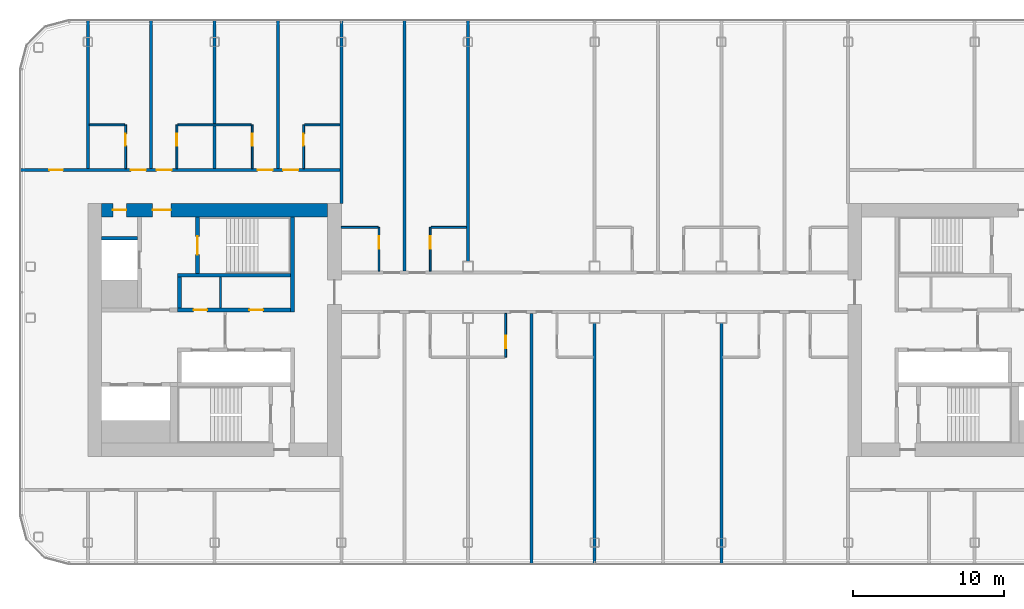
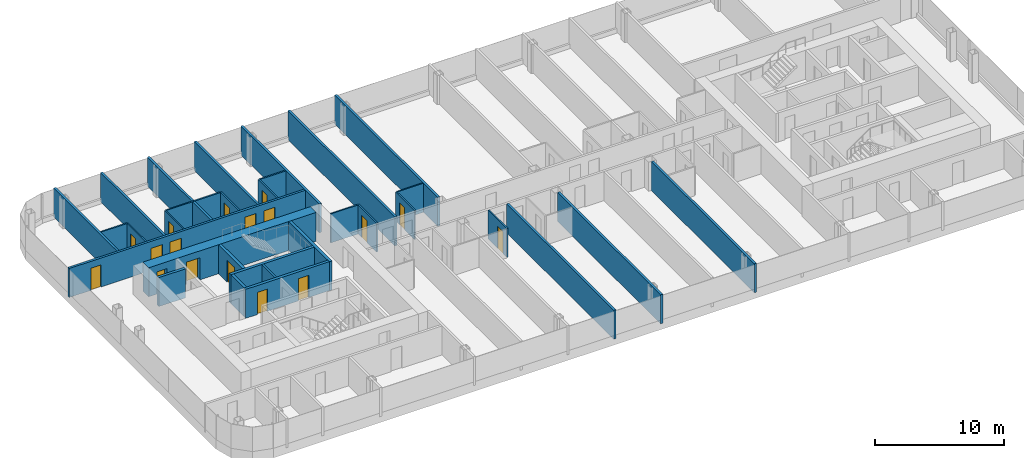
# One storey, part 14 of 26: 31 walls, 17 doors, 17 openings.
"""IFC4 building model written with IfcOpenShell, lengths in metres."""

import ifcopenshell
import ifcopenshell.guid

model = None  # the IFC model being written
_history = None  # IfcOwnerHistory: only IFC2X3 demands one
_inside = {}  # id of a spatial element -> (the spatial element, [elements in it])
_under = {}  # id of a project, library or spatial element -> (it, [spatial elements below it])
_declared = {}  # id of a project -> (the project, [libraries it declares])
_typed = {}  # id of a type object -> (the type object, [elements of that type])
_made_of = {}  # id of a material, layer set ... -> (it, [elements and type objects made of it])


def new_model(schema):
    """Start an empty IFC model of exactly this schema.

    Asked for "IFC4X3", IfcOpenShell would pick the latest addendum, in which some entities
    have other attributes; the version numbers below select the first issue.
    IFC2X3 requires an IfcOwnerHistory on every rooted entity: one is made here for all.
    """
    global model, _history
    if schema == "IFC4X3":
        model = ifcopenshell.file(schema_version=(4, 3, 0, 0))
    else:
        model = ifcopenshell.file(schema=schema)
    _inside.clear()
    _under.clear()
    _declared.clear()
    _typed.clear()
    _made_of.clear()
    _history = None
    if model.schema == "IFC2X3":
        org = make("IfcOrganization", Name="unknown")
        user = make(
            "IfcPersonAndOrganization",
            ThePerson=make("IfcPerson", FamilyName="unknown"),
            TheOrganization=org,
        )
        app = make(
            "IfcApplication",
            ApplicationDeveloper=org,
            Version="unknown",
            ApplicationFullName="unknown",
            ApplicationIdentifier="unknown",
        )
        _history = make(
            "IfcOwnerHistory",
            OwningUser=user,
            OwningApplication=app,
            ChangeAction="ADDED",
            CreationDate=0,
        )
    return model


def make(cls, **values):
    """One entity of the class cls with the attributes given. An attribute that is None is left unset."""
    return model.create_entity(
        cls, **{name: value for name, value in values.items() if value is not None}
    )


def rooted(cls, **values):
    """An entity with a GlobalId (a new one), such as an element, a storey or a relation."""
    return make(cls, GlobalId=ifcopenshell.guid.new(), OwnerHistory=_history, **values)


def si_unit(unit_type, name, prefix=None):
    """IfcSIUnit, for example si_unit("LENGTHUNIT", "METRE", prefix="MILLI")."""
    return make("IfcSIUnit", UnitType=unit_type, Prefix=prefix, Name=name)


def assignment(units):
    """IfcUnitAssignment: the units of a project."""
    return None if units is None else make("IfcUnitAssignment", Units=units)


def point(xyz):
    """IfcCartesianPoint."""
    return None if xyz is None else make("IfcCartesianPoint", Coordinates=xyz)


def direction(xyz):
    """IfcDirection."""
    return None if xyz is None else make("IfcDirection", DirectionRatios=xyz)


def frame(location, z_axis=None, x_axis=None):
    """IfcAxis2Placement3D, a coordinate frame: its origin and axes. An axis left out is left unset."""
    return make(
        "IfcAxis2Placement3D",
        Location=point(location),
        Axis=direction(z_axis),
        RefDirection=direction(x_axis),
    )


def frame_2d(location, x_axis=None):
    """IfcAxis2Placement2D, a coordinate frame in the plane: its origin and x axis."""
    return make(
        "IfcAxis2Placement2D", Location=point(location), RefDirection=direction(x_axis)
    )


def origin():
    """The frame at (0, 0, 0) with its axes left unset."""
    return frame((0.0, 0.0, 0.0))


def place(relative_to, where):
    """IfcLocalPlacement: puts the frame where relative to a parent placement (None: the world)."""
    return make(
        "IfcLocalPlacement", PlacementRelTo=relative_to, RelativePlacement=where
    )


def context(
    kind, dimensions, precision=None, world=None, true_north=None, identifier=None
):
    """IfcGeometricRepresentationContext, for example the 3D "Model" context."""
    return make(
        "IfcGeometricRepresentationContext",
        ContextIdentifier=identifier,
        ContextType=kind,
        CoordinateSpaceDimension=dimensions,
        Precision=precision,
        WorldCoordinateSystem=world,
        TrueNorth=true_north,
    )


def subcontext(parent, identifier, kind, view, scale=None):
    """IfcGeometricRepresentationSubContext, for example "Body" below "Model"."""
    return make(
        "IfcGeometricRepresentationSubContext",
        ContextIdentifier=identifier,
        ContextType=kind,
        ParentContext=parent,
        TargetScale=scale,
        TargetView=view,
    )


def project(units=None, contexts=None):
    """IfcProject with its units and contexts."""
    return rooted(
        "IfcProject",
        Name="project",
        RepresentationContexts=contexts,
        UnitsInContext=assignment(units),
    )


def spatial(cls, under=None, at=None, **own):
    """A site, building, storey or space (cls), placed at a placement, below another one or the project."""
    s = rooted(cls, ObjectPlacement=at, **own)
    if under is not None:
        _under.setdefault(under.id(), (under, []))[1].append(s)
    return s


def profile(cls, at=None, kind="AREA", **sizes):
    """A parametric profile (cls). Its sizes go by their IFC names, for example OverallWidth=200.0."""
    return make(cls, ProfileType=kind, Position=at, **sizes)


def rectangle(**sizes):
    """IfcRectangleProfileDef."""
    return profile("IfcRectangleProfileDef", **sizes)


def extrude(swept, where, along, depth):
    """IfcExtrudedAreaSolid: the profile swept, set in the frame where, extruded along a direction by depth."""
    return make(
        "IfcExtrudedAreaSolid",
        SweptArea=swept,
        Position=where,
        ExtrudedDirection=direction(along),
        Depth=depth,
    )


def shape(context_of_items, identifier, shape_type, items):
    """IfcShapeRepresentation: the items that make up one representation, for example the "Body"."""
    return make(
        "IfcShapeRepresentation",
        ContextOfItems=context_of_items,
        RepresentationIdentifier=identifier,
        RepresentationType=shape_type,
        Items=items,
    )


def material(Name=None, Category=None):
    """IfcMaterial."""
    return make("IfcMaterial", Name=Name, Category=Category)


def layer(
    of_material, thickness, ventilated=None, Name=None, Category=None, Priority=None
):
    """IfcMaterialLayer: one layer of a wall or slab, of a material (None: an air gap)."""
    return make(
        "IfcMaterialLayer",
        Material=of_material,
        LayerThickness=thickness,
        IsVentilated=ventilated,
        Name=Name,
        Category=Category,
        Priority=Priority,
    )


def layer_set(layers, Name=None):
    """IfcMaterialLayerSet."""
    return make("IfcMaterialLayerSet", MaterialLayers=layers, LayerSetName=Name)


def made_of(thing, what):
    """Note that an element or type object is made of a material, layer set ...; save() writes the relation."""
    if what is not None:
        _made_of.setdefault(what.id(), (what, []))[1].append(thing)
    return thing


def type_object(cls, material=None, **own):
    """A type object (cls), such as IfcWallType, which elements share."""
    return made_of(rooted(cls, **own), material)


def element(
    cls,
    number,
    at=None,
    inside=None,
    cuts=None,
    type_object=None,
    material=None,
    context=None,
    identifier="Body",
    shape_type=None,
    held_by="IfcProductDefinitionShape",
    body=None,
    shapes=None,
    **own,
):
    """One element of the class cls, such as IfcWall. Its Tag is "e" and its number.

    at: its placement. inside: the storey or other place that contains it. cuts: it is an
    opening in that element (IfcRelVoidsElement). A single representation is given by context,
    identifier, shape_type and body (its items); several are given by shapes. held_by: the class
    of the entity that holds the representations. save() writes the other relations.
    """
    e = rooted(cls, Tag="e%d" % number, ObjectPlacement=at, **own)
    if body is not None:
        shapes = [shape(context, identifier, shape_type, body)]
    if shapes is not None:
        e.Representation = make(held_by, Representations=shapes)
    if inside is not None:
        _inside.setdefault(inside.id(), (inside, []))[1].append(e)
    if cuts is not None:
        rooted(
            "IfcRelVoidsElement", RelatingBuildingElement=cuts, RelatedOpeningElement=e
        )
    if type_object is not None:
        _typed.setdefault(type_object.id(), (type_object, []))[1].append(e)
    return made_of(e, material)


def fill(opening, filler):
    """IfcRelFillsElement: the door or window that sits in an opening."""
    return rooted(
        "IfcRelFillsElement",
        RelatingOpeningElement=opening,
        RelatedBuildingElement=filler,
    )


def aggregate(whole, parts):
    """IfcRelAggregates: a whole, such as a stair, and the parts it consists of."""
    return rooted("IfcRelAggregates", RelatingObject=whole, RelatedObjects=parts)


def save(model, path):
    """Write the relations noted so far, then the file.

    IfcRelAggregates (storeys below a building ...), IfcRelContainedInSpatialStructure (elements
    in a storey), IfcRelDefinesByType, IfcRelAssociatesMaterial and IfcRelDeclares: one each for
    every whole, place, type object, material and project.
    """
    for whole, parts in _under.values():
        aggregate(whole, parts)
    for where, things in _inside.values():
        rooted(
            "IfcRelContainedInSpatialStructure",
            RelatedElements=things,
            RelatingStructure=where,
        )
    for kind, things in _typed.values():
        rooted("IfcRelDefinesByType", RelatedObjects=things, RelatingType=kind)
    for what, things in _made_of.values():
        rooted("IfcRelAssociatesMaterial", RelatedObjects=things, RelatingMaterial=what)
    for by, libraries in _declared.values():
        rooted("IfcRelDeclares", RelatingContext=by, RelatedDefinitions=libraries)
    model.write(path)


model = new_model("IFC4")

# Units and contexts
model_context = context("Model", 3, precision=1e-05, world=origin(), true_north=direction((0.0, 1.0)))
body_context = subcontext(model_context, "Body", "Model", "MODEL_VIEW")
ifc_project = project(units=[si_unit("LENGTHUNIT", "METRE"), si_unit("AREAUNIT", "SQUARE_METRE"), si_unit("VOLUMEUNIT", "CUBIC_METRE"), si_unit("PLANEANGLEUNIT", "RADIAN"), si_unit("MASSUNIT", "GRAM", prefix="KILO")], contexts=[model_context])

# Site, building, storey
site_placement = place(None, origin())
site = spatial("IfcSite", under=ifc_project, at=site_placement, CompositionType="ELEMENT")
building_placement = place(site_placement, origin())
building = spatial("IfcBuilding", under=site, at=building_placement, Name="Hakoniwa Tower and Hamabe Station Hall", CompositionType="ELEMENT")
storey_placement = place(building_placement, frame((0.0, 0.0, 189.800048828125)))
storey = spatial("IfcBuildingStorey", under=building, at=storey_placement, Name="L53", CompositionType="ELEMENT", Elevation=189.800048828125)

# Walls
ifc_material_1 = material(Name="Gypsum board partition", Category="gypsum")
ifc_layer_1 = layer(ifc_material_1, 0.125)
ifc_layer_set_1 = layer_set([ifc_layer_1], Name="Bathroom Partition 125")
wall_type_1 = type_object("IfcWallType", Name="Bathroom Partition 125", PredefinedType="PARTITIONING", material=ifc_layer_set_1)
wall_1_placement = place(storey_placement, frame((-16.81005859375, 6.800048828125, 0.0), z_axis=(0.0, 0.0, 1.0), x_axis=(1.0, 0.0, 0.0)))
element("IfcWall", 1, at=wall_1_placement, inside=storey, type_object=wall_type_1, Name="GW-L53-010", PredefinedType="PARTITIONING", context=body_context, shape_type="SweptSolid", body=[
    extrude(rectangle(XDim=2.447509765625, YDim=0.125, at=frame_2d((1.2236328125, 0.0))), origin(), (0.0, 0.0, 1.0), 2.75),
])
for number, where, z_axis, x_axis, name in (
    (2, (-10.83740234375, 6.800048828125, 0.0), (0.0, 0.0, 1.0), (1.0, 0.0, 0.0), "GW-L53-011"),
    (3, (-33.5, 13.60009765625, 0.0), (0.0, 0.0, 1.0), (1.0, 0.0, 0.0), "GW-L53-017"),
):
    element("IfcWall", number, at=place(storey_placement, frame(where, z_axis=z_axis, x_axis=x_axis)), inside=storey, type_object=wall_type_1, Name=name, PredefinedType="PARTITIONING", context=body_context, shape_type="SweptSolid", body=[
        extrude(rectangle(XDim=2.33740234375, YDim=0.125, at=frame_2d((1.168701171875, 0.0))), origin(), (0.0, 0.0, 1.0), 2.75),
    ])
wall_2_placement = place(storey_placement, frame((-27.637451171875, 13.60009765625, 0.0), z_axis=(0.0, 0.0, 1.0), x_axis=(1.0, 0.0, 0.0)))
element("IfcWall", 4, at=wall_2_placement, inside=storey, type_object=wall_type_1, Name="GW-L53-018", PredefinedType="PARTITIONING", context=body_context, shape_type="SweptSolid", body=[
    extrude(rectangle(XDim=4.875, YDim=0.125, at=frame_2d((2.4375, 0.0))), origin(), (0.0, 0.0, 1.0), 2.75),
])
wall_3_placement = place(storey_placement, frame((-19.237548828125, 13.60009765625, 0.0), z_axis=(0.0, 0.0, 1.0), x_axis=(1.0, 0.0, 0.0)))
element("IfcWall", 5, at=wall_3_placement, inside=storey, type_object=wall_type_1, Name="GW-L53-019", PredefinedType="PARTITIONING", context=body_context, shape_type="SweptSolid", body=[
    extrude(rectangle(XDim=2.337646484375, YDim=0.125, at=frame_2d((1.1689453125, 0.0))), origin(), (0.0, 0.0, 1.0), 2.75),
])

# Wall, opening, door
wall_4_placement = place(storey_placement, frame((-31.10009765625, 10.699951171875, 0.0), z_axis=(0.0, 0.0, 1.0), x_axis=(0.0, 1.0, 0.0)))
wall_4 = element("IfcWall", 6, at=wall_4_placement, inside=storey, type_object=wall_type_1, Name="GW-L53-023", PredefinedType="PARTITIONING", context=body_context, shape_type="SweptSolid", body=[
    extrude(rectangle(XDim=2.900146484375, YDim=0.125, at=frame_2d((1.4501953125, 0.0))), origin(), (0.0, 0.0, 1.0), 2.75),
])
opening_1_placement = place(wall_4_placement, frame((1.5, 0.0, 0.0)))
opening_1 = element("IfcOpeningElement", 7, at=opening_1_placement, cuts=wall_4, Name="Opening GD-G4B0-32", PredefinedType="OPENING", context=body_context, shape_type="SweptSolid", body=[
    extrude(rectangle(XDim=0.800048828125, YDim=2.10009765625, at=frame_2d((0.39990234375, 1.050048828125))), frame((0.0, 0.072509765625, 0.0), z_axis=(0.0, -1.0, 0.0), x_axis=(1.0, 0.0, 0.0)), (0.0, 0.0, 1.0), 0.14501953125),
])
ifc_material_2 = material(Name="Timber door leaf", Category="wood")
door_type_1 = type_object("IfcDoorType", Name="Bathroom Door 800", OperationType="SINGLE_SWING_LEFT", PredefinedType="DOOR", material=ifc_material_2)
door_1_placement = place(opening_1_placement, origin())
door_1 = element("IfcDoor", 8, at=door_1_placement, inside=storey, type_object=door_type_1, Name="Door GD-G4B0-32", OperationType="SINGLE_SWING_LEFT", OverallHeight=2.10009765625, OverallWidth=0.800048828125, PredefinedType="DOOR", context=body_context, shape_type="SweptSolid", body=[
    extrude(rectangle(XDim=0.800048828125, YDim=2.10009765625, at=frame_2d((0.39990234375, 1.050048828125))), frame((0.0, 0.02490234375, 0.0), z_axis=(0.0, -1.0, 0.0), x_axis=(1.0, 0.0, 0.0)), (0.0, 0.0, 1.0), 0.050048828125),
])
fill(opening_1, door_1)

wall_5_placement = place(storey_placement, frame((-27.699951171875, 10.699951171875, 0.0), z_axis=(0.0, 0.0, 1.0), x_axis=(0.0, 1.0, 0.0)))
wall_5 = element("IfcWall", 9, at=wall_5_placement, inside=storey, type_object=wall_type_1, Name="GW-L53-026", PredefinedType="PARTITIONING", context=body_context, shape_type="SweptSolid", body=[
    extrude(rectangle(XDim=2.900146484375, YDim=0.125, at=frame_2d((1.4501953125, 0.0))), origin(), (0.0, 0.0, 1.0), 2.75),
])
opening_2_placement = place(wall_5_placement, frame((1.5, 0.0, 0.0)))
opening_2 = element("IfcOpeningElement", 10, at=opening_2_placement, cuts=wall_5, Name="Opening GD-G4B0-33", PredefinedType="OPENING", context=body_context, shape_type="SweptSolid", body=[
    extrude(rectangle(XDim=0.800048828125, YDim=2.10009765625, at=frame_2d((0.39990234375, 1.050048828125))), frame((0.0, 0.072509765625, 0.0), z_axis=(0.0, -1.0, 0.0), x_axis=(1.0, 0.0, 0.0)), (0.0, 0.0, 1.0), 0.14501953125),
])
door_2_placement = place(opening_2_placement, origin())
door_2 = element("IfcDoor", 11, at=door_2_placement, inside=storey, type_object=door_type_1, Name="Door GD-G4B0-33", OperationType="SINGLE_SWING_RIGHT", OverallHeight=2.10009765625, OverallWidth=0.800048828125, PredefinedType="DOOR", context=body_context, shape_type="SweptSolid", body=[
    extrude(rectangle(XDim=0.800048828125, YDim=2.10009765625, at=frame_2d((0.39990234375, 1.050048828125))), frame((0.0, 0.02490234375, 0.0), z_axis=(0.0, -1.0, 0.0), x_axis=(1.0, 0.0, 0.0)), (0.0, 0.0, 1.0), 0.050048828125),
])
fill(opening_2, door_2)

wall_6_placement = place(storey_placement, frame((-22.699951171875, 10.699951171875, 0.0), z_axis=(0.0, 0.0, 1.0), x_axis=(0.0, 1.0, 0.0)))
wall_6 = element("IfcWall", 12, at=wall_6_placement, inside=storey, type_object=wall_type_1, Name="GW-L53-029", PredefinedType="PARTITIONING", context=body_context, shape_type="SweptSolid", body=[
    extrude(rectangle(XDim=2.900146484375, YDim=0.125, at=frame_2d((1.4501953125, 0.0))), origin(), (0.0, 0.0, 1.0), 2.75),
])
opening_3_placement = place(wall_6_placement, frame((1.5, 0.0, 0.0)))
opening_3 = element("IfcOpeningElement", 13, at=opening_3_placement, cuts=wall_6, Name="Opening GD-G4B0-34", PredefinedType="OPENING", context=body_context, shape_type="SweptSolid", body=[
    extrude(rectangle(XDim=0.800048828125, YDim=2.10009765625, at=frame_2d((0.39990234375, 1.050048828125))), frame((0.0, 0.072509765625, 0.0), z_axis=(0.0, -1.0, 0.0), x_axis=(1.0, 0.0, 0.0)), (0.0, 0.0, 1.0), 0.14501953125),
])
door_3_placement = place(opening_3_placement, origin())
door_3 = element("IfcDoor", 14, at=door_3_placement, inside=storey, type_object=door_type_1, Name="Door GD-G4B0-34", OperationType="SINGLE_SWING_LEFT", OverallHeight=2.10009765625, OverallWidth=0.800048828125, PredefinedType="DOOR", context=body_context, shape_type="SweptSolid", body=[
    extrude(rectangle(XDim=0.800048828125, YDim=2.10009765625, at=frame_2d((0.39990234375, 1.050048828125))), frame((0.0, 0.02490234375, 0.0), z_axis=(0.0, -1.0, 0.0), x_axis=(1.0, 0.0, 0.0)), (0.0, 0.0, 1.0), 0.050048828125),
])
fill(opening_3, door_3)

wall_7_placement = place(storey_placement, frame((-19.300048828125, 10.699951171875, 0.0), z_axis=(0.0, 0.0, 1.0), x_axis=(0.0, 1.0, 0.0)))
wall_7 = element("IfcWall", 15, at=wall_7_placement, inside=storey, type_object=wall_type_1, Name="GW-L53-031", PredefinedType="PARTITIONING", context=body_context, shape_type="SweptSolid", body=[
    extrude(rectangle(XDim=2.900146484375, YDim=0.125, at=frame_2d((1.4501953125, 0.0))), origin(), (0.0, 0.0, 1.0), 2.75),
])
opening_4_placement = place(wall_7_placement, frame((1.5, 0.0, 0.0)))
opening_4 = element("IfcOpeningElement", 16, at=opening_4_placement, cuts=wall_7, Name="Opening GD-G4B0-35", PredefinedType="OPENING", context=body_context, shape_type="SweptSolid", body=[
    extrude(rectangle(XDim=0.800048828125, YDim=2.10009765625, at=frame_2d((0.39990234375, 1.050048828125))), frame((0.0, 0.072509765625, 0.0), z_axis=(0.0, -1.0, 0.0), x_axis=(1.0, 0.0, 0.0)), (0.0, 0.0, 1.0), 0.14501953125),
])
door_4_placement = place(opening_4_placement, origin())
door_4 = element("IfcDoor", 17, at=door_4_placement, inside=storey, type_object=door_type_1, Name="Door GD-G4B0-35", OperationType="SINGLE_SWING_RIGHT", OverallHeight=2.10009765625, OverallWidth=0.800048828125, PredefinedType="DOOR", context=body_context, shape_type="SweptSolid", body=[
    extrude(rectangle(XDim=0.800048828125, YDim=2.10009765625, at=frame_2d((0.39990234375, 1.050048828125))), frame((0.0, 0.02490234375, 0.0), z_axis=(0.0, -1.0, 0.0), x_axis=(1.0, 0.0, 0.0)), (0.0, 0.0, 1.0), 0.050048828125),
])
fill(opening_4, door_4)

wall_8_placement = place(storey_placement, frame((-14.300048828125, 3.89990234375, 0.0), z_axis=(0.0, 0.0, 1.0), x_axis=(0.0, 1.0, 0.0)))
wall_8 = element("IfcWall", 18, at=wall_8_placement, inside=storey, type_object=wall_type_1, Name="GW-L53-035", PredefinedType="PARTITIONING", context=body_context, shape_type="SweptSolid", body=[
    extrude(rectangle(XDim=2.900146484375, YDim=0.125, at=frame_2d((1.4501953125, 0.0))), origin(), (0.0, 0.0, 1.0), 2.75),
])
opening_5_placement = place(wall_8_placement, frame((1.5, 0.0, 0.0)))
opening_5 = element("IfcOpeningElement", 19, at=opening_5_placement, cuts=wall_8, Name="Opening GD-G4B0-37", PredefinedType="OPENING", context=body_context, shape_type="SweptSolid", body=[
    extrude(rectangle(XDim=0.800048828125, YDim=2.10009765625, at=frame_2d((0.39990234375, 1.050048828125))), frame((0.0, 0.072509765625, 0.0), z_axis=(0.0, -1.0, 0.0), x_axis=(1.0, 0.0, 0.0)), (0.0, 0.0, 1.0), 0.14501953125),
])
door_5_placement = place(opening_5_placement, origin())
door_5 = element("IfcDoor", 20, at=door_5_placement, inside=storey, type_object=door_type_1, Name="Door GD-G4B0-37", OperationType="SINGLE_SWING_LEFT", OverallHeight=2.10009765625, OverallWidth=0.800048828125, PredefinedType="DOOR", context=body_context, shape_type="SweptSolid", body=[
    extrude(rectangle(XDim=0.800048828125, YDim=2.10009765625, at=frame_2d((0.39990234375, 1.050048828125))), frame((0.0, 0.02490234375, 0.0), z_axis=(0.0, -1.0, 0.0), x_axis=(1.0, 0.0, 0.0)), (0.0, 0.0, 1.0), 0.050048828125),
])
fill(opening_5, door_5)

wall_9_placement = place(storey_placement, frame((-10.89990234375, 3.89990234375, 0.0), z_axis=(0.0, 0.0, 1.0), x_axis=(0.0, 1.0, 0.0)))
wall_9 = element("IfcWall", 21, at=wall_9_placement, inside=storey, type_object=wall_type_1, Name="GW-L53-039", PredefinedType="PARTITIONING", context=body_context, shape_type="SweptSolid", body=[
    extrude(rectangle(XDim=2.900146484375, YDim=0.125, at=frame_2d((1.4501953125, 0.0))), origin(), (0.0, 0.0, 1.0), 2.75),
])
opening_6_placement = place(wall_9_placement, frame((1.5, 0.0, 0.0)))
opening_6 = element("IfcOpeningElement", 22, at=opening_6_placement, cuts=wall_9, Name="Opening GD-G4B0-39", PredefinedType="OPENING", context=body_context, shape_type="SweptSolid", body=[
    extrude(rectangle(XDim=0.800048828125, YDim=2.10009765625, at=frame_2d((0.39990234375, 1.050048828125))), frame((0.0, 0.072509765625, 0.0), z_axis=(0.0, -1.0, 0.0), x_axis=(1.0, 0.0, 0.0)), (0.0, 0.0, 1.0), 0.14501953125),
])
door_6_placement = place(opening_6_placement, origin())
door_6 = element("IfcDoor", 23, at=door_6_placement, inside=storey, type_object=door_type_1, Name="Door GD-G4B0-39", OperationType="SINGLE_SWING_RIGHT", OverallHeight=2.10009765625, OverallWidth=0.800048828125, PredefinedType="DOOR", context=body_context, shape_type="SweptSolid", body=[
    extrude(rectangle(XDim=0.800048828125, YDim=2.10009765625, at=frame_2d((0.39990234375, 1.050048828125))), frame((0.0, 0.02490234375, 0.0), z_axis=(0.0, -1.0, 0.0), x_axis=(1.0, 0.0, 0.0)), (0.0, 0.0, 1.0), 0.050048828125),
])
fill(opening_6, door_6)

wall_10_placement = place(storey_placement, frame((-5.89990234375, -1.800048828125, 0.0), z_axis=(0.0, 0.0, 1.0), x_axis=(0.0, 1.0, 0.0)))
wall_10 = element("IfcWall", 24, at=wall_10_placement, inside=storey, type_object=wall_type_1, Name="GW-L53-042", PredefinedType="PARTITIONING", context=body_context, shape_type="SweptSolid", body=[
    extrude(rectangle(XDim=2.900146484375, YDim=0.125, at=frame_2d((1.4501953125, 0.0))), origin(), (0.0, 0.0, 1.0), 2.75),
])
opening_7_placement = place(wall_10_placement, frame((0.60009765625, 0.0, 0.0)))
opening_7 = element("IfcOpeningElement", 25, at=opening_7_placement, cuts=wall_10, Name="Opening GD-G4B0-40", PredefinedType="OPENING", context=body_context, shape_type="SweptSolid", body=[
    extrude(rectangle(XDim=0.800048828125, YDim=2.10009765625, at=frame_2d((0.39990234375, 1.050048828125))), frame((0.0, 0.072509765625, 0.0), z_axis=(0.0, -1.0, 0.0), x_axis=(1.0, 0.0, 0.0)), (0.0, 0.0, 1.0), 0.14501953125),
])
door_7_placement = place(opening_7_placement, origin())
door_7 = element("IfcDoor", 26, at=door_7_placement, inside=storey, type_object=door_type_1, Name="Door GD-G4B0-40", OperationType="SINGLE_SWING_RIGHT", OverallHeight=2.10009765625, OverallWidth=0.800048828125, PredefinedType="DOOR", context=body_context, shape_type="SweptSolid", body=[
    extrude(rectangle(XDim=0.800048828125, YDim=2.10009765625, at=frame_2d((0.39990234375, 1.050048828125))), frame((0.0, 0.02490234375, 0.0), z_axis=(0.0, -1.0, 0.0), x_axis=(1.0, 0.0, 0.0)), (0.0, 0.0, 1.0), 0.050048828125),
])
fill(opening_7, door_7)

# Wall
ifc_material_3 = material(Name="Gypsum board partition")
ifc_layer_2 = layer(ifc_material_3, 0.14990234375)
ifc_layer_set_2 = layer_set([ifc_layer_2], Name="CORE PARTITION 150 EI 60")
wall_type_2 = type_object("IfcWallType", Name="CORE PARTITION 150 EI 60", PredefinedType="PARTITIONING", material=ifc_layer_set_2)
wall_11_placement = place(storey_placement, frame((-24.800048828125, 1.449951171875, 0.0), z_axis=(0.0, 0.0, 1.0), x_axis=(0.0, 1.0, 0.0)))
element("IfcWall", 27, at=wall_11_placement, inside=storey, type_object=wall_type_2, Name="Core partition PFLR0 west", PredefinedType="PARTITIONING", context=body_context, shape_type="SweptSolid", body=[
    extrude(rectangle(XDim=2.050048828125, YDim=0.14990234375, at=frame_2d((1.02490234375, 0.0))), origin(), (0.0, 0.0, 1.0), 2.75),
])

# Wall, openings, doors
ifc_material_4 = material(Name="Concrete C60", Category="concrete")
ifc_layer_3 = layer(ifc_material_4, 0.89990234375)
ifc_layer_set_3 = layer_set([ifc_layer_3], Name="CORE WALL 900 C60")
wall_type_3 = type_object("IfcWallType", Name="CORE WALL 900 C60", PredefinedType="SHEAR", material=ifc_layer_set_3)
wall_12_placement = place(storey_placement, frame((-32.699951171875, 7.949951171875, 0.0), z_axis=(0.0, 0.0, 1.0), x_axis=(1.0, 0.0, 0.0)))
wall_12 = element("IfcWall", 28, at=wall_12_placement, inside=storey, type_object=wall_type_3, Name="Core wall NORTH west", PredefinedType="SHEAR", context=body_context, shape_type="SweptSolid", body=[
    extrude(rectangle(XDim=15.0, YDim=0.89990234375, at=frame_2d((7.5, 0.0))), origin(), (0.0, 0.0, 1.0), 2.75),
])
opening_8_placement = place(wall_12_placement, frame((3.39990234375, 0.0, 0.0)))
opening_8 = element("IfcOpeningElement", 29, at=opening_8_placement, cuts=wall_12, Name="Opening CD-W-FN1-12", PredefinedType="OPENING", context=body_context, shape_type="SweptSolid", body=[
    extrude(rectangle(XDim=1.199951171875, YDim=2.10009765625, at=frame_2d((0.60009765625, 1.050048828125))), frame((0.0, 0.4599609375, 0.0), z_axis=(0.0, -1.0, 0.0), x_axis=(1.0, 0.0, 0.0)), (0.0, 0.0, 1.0), 0.919921875),
])
opening_9_placement = place(wall_12_placement, frame((0.75, 0.0, 0.0)))
opening_9 = element("IfcOpeningElement", 30, at=opening_9_placement, cuts=wall_12, Name="Opening CD-W-FN2-9", PredefinedType="OPENING", context=body_context, shape_type="SweptSolid", body=[
    extrude(rectangle(XDim=0.89990234375, YDim=2.10009765625, at=frame_2d((0.449951171875, 1.050048828125))), frame((0.0, 0.4599609375, 0.0), z_axis=(0.0, -1.0, 0.0), x_axis=(1.0, 0.0, 0.0)), (0.0, 0.0, 1.0), 0.919921875),
])
ifc_material_5 = material(Name="Steel fire door", Category="steel")
door_type_2 = type_object("IfcDoorType", Name="CORE DOOR 1200 FD60", OperationType="DOUBLE_DOOR_SINGLE_SWING", PredefinedType="DOOR", material=ifc_material_5)
door_8_placement = place(opening_8_placement, origin())
door_8 = element("IfcDoor", 31, at=door_8_placement, inside=storey, type_object=door_type_2, Name="Stair vestibule door to the fire-fighting lobby", OperationType="DOUBLE_DOOR_SINGLE_SWING", OverallHeight=2.10009765625, OverallWidth=1.199951171875, PredefinedType="DOOR", context=body_context, shape_type="SweptSolid", body=[
    extrude(rectangle(XDim=1.199951171875, YDim=2.10009765625, at=frame_2d((0.60009765625, 1.050048828125))), frame((0.0, 0.02490234375, 0.0), z_axis=(0.0, -1.0, 0.0), x_axis=(1.0, 0.0, 0.0)), (0.0, 0.0, 1.0), 0.050048828125),
])
fill(opening_8, door_8)
ifc_material_6 = material(Name="Steel fire door", Category="steel")
door_type_3 = type_object("IfcDoorType", Name="CORE DOOR 900 FD30", OperationType="NOTDEFINED", PredefinedType="DOOR", material=ifc_material_6)
door_9_placement = place(opening_9_placement, origin())
door_9 = element("IfcDoor", 32, at=door_9_placement, inside=storey, type_object=door_type_3, Name="Riser access door", OperationType="SINGLE_SWING_RIGHT", OverallHeight=2.10009765625, OverallWidth=0.89990234375, PredefinedType="DOOR", context=body_context, shape_type="SweptSolid", body=[
    extrude(rectangle(XDim=0.89990234375, YDim=2.10009765625, at=frame_2d((0.449951171875, 1.050048828125))), frame((0.0, 0.02490234375, 0.0), z_axis=(0.0, -1.0, 0.0), x_axis=(1.0, 0.0, 0.0)), (0.0, 0.0, 1.0), 0.050048828125),
])
fill(opening_9, door_9)

# Wall
ifc_material_7 = material(Name="Concrete C60", Category="concrete")
ifc_layer_4 = layer(ifc_material_7, 0.25)
ifc_layer_set_4 = layer_set([ifc_layer_4], Name="CORE WEB WALL 250 C60")
wall_type_4 = type_object("IfcWallType", Name="CORE WEB WALL 250 C60", PredefinedType="SHEAR", material=ifc_layer_set_4)
wall_13_placement = place(storey_placement, frame((-20.02490234375, 1.199951171875, 0.0), z_axis=(0.0, 0.0, 1.0), x_axis=(0.0, 1.0, 0.0)))
element("IfcWall", 33, at=wall_13_placement, inside=storey, type_object=wall_type_4, Name="Core wall W1N west", PredefinedType="SHEAR", context=body_context, shape_type="SweptSolid", body=[
    extrude(rectangle(XDim=6.300048828125, YDim=0.25, at=frame_2d((3.14990234375, 0.0))), origin(), (0.0, 0.0, 1.0), 2.75),
])

# Wall, openings, doors
wall_14_placement = place(storey_placement, frame((-27.64990234375, 1.324951171875, 0.0), z_axis=(0.0, 0.0, 1.0), x_axis=(1.0, 0.0, 0.0)))
wall_14 = element("IfcWall", 34, at=wall_14_placement, inside=storey, type_object=wall_type_4, Name="Core wall NF west", PredefinedType="SHEAR", context=body_context, shape_type="SweptSolid", body=[
    extrude(rectangle(XDim=7.5, YDim=0.25, at=frame_2d((3.75, 0.0))), origin(), (0.0, 0.0, 1.0), 2.75),
])
opening_10_placement = place(wall_14_placement, frame((4.762451171875, 0.0, 0.0)))
opening_10 = element("IfcOpeningElement", 35, at=opening_10_placement, cuts=wall_14, Name="Opening CD-W-FRLR0-9", PredefinedType="OPENING", context=body_context, shape_type="SweptSolid", body=[
    extrude(rectangle(XDim=0.89990234375, YDim=2.10009765625, at=frame_2d((0.449951171875, 1.050048828125))), frame((0.0, 0.135009765625, 0.0), z_axis=(0.0, -1.0, 0.0), x_axis=(1.0, 0.0, 0.0)), (0.0, 0.0, 1.0), 0.27001953125),
])
opening_11_placement = place(wall_14_placement, frame((1.0625, 0.0, 0.0)))
opening_11 = element("IfcOpeningElement", 36, at=opening_11_placement, cuts=wall_14, Name="Opening CD-W-FRLR1-9", PredefinedType="OPENING", context=body_context, shape_type="SweptSolid", body=[
    extrude(rectangle(XDim=0.89990234375, YDim=2.10009765625, at=frame_2d((0.449951171875, 1.050048828125))), frame((0.0, 0.135009765625, 0.0), z_axis=(0.0, -1.0, 0.0), x_axis=(1.0, 0.0, 0.0)), (0.0, 0.0, 1.0), 0.27001953125),
])
door_10_placement = place(opening_10_placement, origin())
door_10 = element("IfcDoor", 37, at=door_10_placement, inside=storey, type_object=door_type_3, Name="Store room door", OperationType="SINGLE_SWING_RIGHT", OverallHeight=2.10009765625, OverallWidth=0.89990234375, PredefinedType="DOOR", context=body_context, shape_type="SweptSolid", body=[
    extrude(rectangle(XDim=0.89990234375, YDim=2.10009765625, at=frame_2d((0.449951171875, 1.050048828125))), frame((0.0, 0.02490234375, 0.0), z_axis=(0.0, -1.0, 0.0), x_axis=(1.0, 0.0, 0.0)), (0.0, 0.0, 1.0), 0.050048828125),
])
fill(opening_10, door_10)
door_11_placement = place(opening_11_placement, origin())
door_11 = element("IfcDoor", 38, at=door_11_placement, inside=storey, type_object=door_type_3, Name="Store room door", OperationType="SINGLE_SWING_LEFT", OverallHeight=2.10009765625, OverallWidth=0.89990234375, PredefinedType="DOOR", context=body_context, shape_type="SweptSolid", body=[
    extrude(rectangle(XDim=0.89990234375, YDim=2.10009765625, at=frame_2d((0.449951171875, 1.050048828125))), frame((0.0, 0.02490234375, 0.0), z_axis=(0.0, -1.0, 0.0), x_axis=(1.0, 0.0, 0.0)), (0.0, 0.0, 1.0), 0.050048828125),
])
fill(opening_11, door_11)

# Walls
wall_15_placement = place(storey_placement, frame((-27.52490234375, 1.449951171875, 0.0), z_axis=(0.0, 0.0, 1.0), x_axis=(0.0, 1.0, 0.0)))
element("IfcWall", 39, at=wall_15_placement, inside=storey, type_object=wall_type_4, Name="Core wall NE west", PredefinedType="SHEAR", context=body_context, shape_type="SweptSolid", body=[
    extrude(rectangle(XDim=2.050048828125, YDim=0.25, at=frame_2d((1.02490234375, 0.0))), origin(), (0.0, 0.0, 1.0), 2.75),
])
wall_16_placement = place(storey_placement, frame((-27.64990234375, 3.625, 0.0), z_axis=(0.0, 0.0, 1.0), x_axis=(1.0, 0.0, 0.0)))
element("IfcWall", 40, at=wall_16_placement, inside=storey, type_object=wall_type_4, Name="Core wall NR west", PredefinedType="SHEAR", context=body_context, shape_type="SweptSolid", body=[
    extrude(rectangle(XDim=7.5, YDim=0.25, at=frame_2d((3.75, 0.0))), origin(), (0.0, 0.0, 1.0), 2.75),
])

# Wall, opening, door
wall_17_placement = place(storey_placement, frame((-26.324951171875, 3.75, 0.0), z_axis=(0.0, 0.0, 1.0), x_axis=(0.0, 1.0, 0.0)))
wall_17 = element("IfcWall", 41, at=wall_17_placement, inside=storey, type_object=wall_type_4, Name="Core wall NSE west", PredefinedType="SHEAR", context=body_context, shape_type="SweptSolid", body=[
    extrude(rectangle(XDim=3.75, YDim=0.25, at=frame_2d((1.875, 0.0))), origin(), (0.0, 0.0, 1.0), 2.75),
])
opening_12_placement = place(wall_17_placement, frame((1.25, 0.0, 0.0)))
opening_12 = element("IfcOpeningElement", 42, at=opening_12_placement, cuts=wall_17, Name="Opening CD-W-SN-12", PredefinedType="OPENING", context=body_context, shape_type="SweptSolid", body=[
    extrude(rectangle(XDim=1.199951171875, YDim=2.10009765625, at=frame_2d((0.60009765625, 1.050048828125))), frame((0.0, 0.135009765625, 0.0), z_axis=(0.0, -1.0, 0.0), x_axis=(1.0, 0.0, 0.0)), (0.0, 0.0, 1.0), 0.27001953125),
])
door_12_placement = place(opening_12_placement, origin())
door_12 = element("IfcDoor", 43, at=door_12_placement, inside=storey, type_object=door_type_2, Name="Escape stair door", OperationType="DOUBLE_DOOR_SINGLE_SWING", OverallHeight=2.10009765625, OverallWidth=1.199951171875, PredefinedType="DOOR", context=body_context, shape_type="SweptSolid", body=[
    extrude(rectangle(XDim=1.199951171875, YDim=2.10009765625, at=frame_2d((0.60009765625, 1.050048828125))), frame((0.0, 0.02490234375, 0.0), z_axis=(0.0, -1.0, 0.0), x_axis=(1.0, 0.0, 0.0)), (0.0, 0.0, 1.0), 0.050048828125),
])
fill(opening_12, door_12)

# Wall
wall_18_placement = place(storey_placement, frame((-32.699951171875, 6.074951171875, 0.0), z_axis=(0.0, 0.0, 1.0), x_axis=(1.0, 0.0, 0.0)))
element("IfcWall", 44, at=wall_18_placement, inside=storey, type_object=wall_type_4, Name="Core wall C2 west", PredefinedType="SHEAR", context=body_context, shape_type="SweptSolid", body=[
    extrude(rectangle(XDim=2.39990234375, YDim=0.25, at=frame_2d((1.199951171875, 0.0))), origin(), (0.0, 0.0, 1.0), 2.75),
])

# Wall, openings, doors
ifc_material_8 = material(Name="Fire-rated gypsum board partition", Category="gypsum")
ifc_layer_5 = layer(ifc_material_8, 0.199951171875)
ifc_layer_set_5 = layer_set([ifc_layer_5], Name="Corridor Wall 200")
wall_type_5 = type_object("IfcWallType", Name="Corridor Wall 200", PredefinedType="PARTITIONING", material=ifc_layer_set_5)
wall_19_placement = place(storey_placement, frame((-38.10009765625, 10.60009765625, 0.0), z_axis=(0.0, 0.0, 1.0), x_axis=(1.0, 0.0, 0.0)))
wall_19 = element("IfcWall", 45, at=wall_19_placement, inside=storey, type_object=wall_type_5, Name="GW-L53-015", PredefinedType="PARTITIONING", context=body_context, shape_type="SweptSolid", body=[
    extrude(rectangle(XDim=21.300048828125, YDim=0.199951171875, at=frame_2d((10.64990234375, 0.0))), origin(), (0.0, 0.0, 1.0), 2.75),
])
opening_13_placement = place(wall_19_placement, frame((1.949951171875, 0.0, 0.0)))
opening_13 = element("IfcOpeningElement", 46, at=opening_13_placement, cuts=wall_19, Name="Opening GD-G4B0-24", PredefinedType="OPENING", context=body_context, shape_type="SweptSolid", body=[
    extrude(rectangle(XDim=0.89990234375, YDim=2.10009765625, at=frame_2d((0.449951171875, 1.050048828125))), frame((0.0, 0.10986328125, 0.0), z_axis=(0.0, -1.0, 0.0), x_axis=(1.0, 0.0, 0.0)), (0.0, 0.0, 1.0), 0.219970703125),
])
opening_14_placement = place(wall_19_placement, frame((7.35009765625, 0.0, 0.0)))
opening_14 = element("IfcOpeningElement", 47, at=opening_14_placement, cuts=wall_19, Name="Opening GD-G4B0-25", PredefinedType="OPENING", context=body_context, shape_type="SweptSolid", body=[
    extrude(rectangle(XDim=1.0, YDim=2.10009765625, at=frame_2d((0.5, 1.050048828125))), frame((0.0, 0.10986328125, 0.0), z_axis=(0.0, -1.0, 0.0), x_axis=(1.0, 0.0, 0.0)), (0.0, 0.0, 1.0), 0.219970703125),
])
opening_15_placement = place(wall_19_placement, frame((9.050048828125, 0.0, 0.0)))
opening_15 = element("IfcOpeningElement", 48, at=opening_15_placement, cuts=wall_19, Name="Opening GD-G4B0-26", PredefinedType="OPENING", context=body_context, shape_type="SweptSolid", body=[
    extrude(rectangle(XDim=1.0, YDim=2.10009765625, at=frame_2d((0.5, 1.050048828125))), frame((0.0, 0.10986328125, 0.0), z_axis=(0.0, -1.0, 0.0), x_axis=(1.0, 0.0, 0.0)), (0.0, 0.0, 1.0), 0.219970703125),
])
opening_16_placement = place(wall_19_placement, frame((15.75, 0.0, 0.0)))
opening_16 = element("IfcOpeningElement", 49, at=opening_16_placement, cuts=wall_19, Name="Opening GD-G4B0-27", PredefinedType="OPENING", context=body_context, shape_type="SweptSolid", body=[
    extrude(rectangle(XDim=1.0, YDim=2.10009765625, at=frame_2d((0.5, 1.050048828125))), frame((0.0, 0.10986328125, 0.0), z_axis=(0.0, -1.0, 0.0), x_axis=(1.0, 0.0, 0.0)), (0.0, 0.0, 1.0), 0.219970703125),
])
opening_17_placement = place(wall_19_placement, frame((17.449951171875, 0.0, 0.0)))
opening_17 = element("IfcOpeningElement", 50, at=opening_17_placement, cuts=wall_19, Name="Opening GD-G4B0-28", PredefinedType="OPENING", context=body_context, shape_type="SweptSolid", body=[
    extrude(rectangle(XDim=1.0, YDim=2.10009765625, at=frame_2d((0.5, 1.050048828125))), frame((0.0, 0.10986328125, 0.0), z_axis=(0.0, -1.0, 0.0), x_axis=(1.0, 0.0, 0.0)), (0.0, 0.0, 1.0), 0.219970703125),
])
ifc_material_9 = material(Name="Timber door leaf", Category="wood")
door_type_4 = type_object("IfcDoorType", Name="Guest Entrance Door 1000", OperationType="SINGLE_SWING_LEFT", PredefinedType="DOOR", material=ifc_material_9)
door_13_placement = place(opening_14_placement, origin())
door_13 = element("IfcDoor", 51, at=door_13_placement, inside=storey, type_object=door_type_4, Name="Door GD-G4B0-25", OperationType="SINGLE_SWING_RIGHT", OverallHeight=2.10009765625, OverallWidth=1.0, PredefinedType="DOOR", context=body_context, shape_type="SweptSolid", body=[
    extrude(rectangle(XDim=1.0, YDim=2.10009765625, at=frame_2d((0.5, 1.050048828125))), frame((0.0, 0.02490234375, 0.0), z_axis=(0.0, -1.0, 0.0), x_axis=(1.0, 0.0, 0.0)), (0.0, 0.0, 1.0), 0.050048828125),
])
fill(opening_14, door_13)
door_14_placement = place(opening_15_placement, origin())
door_14 = element("IfcDoor", 52, at=door_14_placement, inside=storey, type_object=door_type_4, Name="Door GD-G4B0-26", OperationType="SINGLE_SWING_LEFT", OverallHeight=2.10009765625, OverallWidth=1.0, PredefinedType="DOOR", context=body_context, shape_type="SweptSolid", body=[
    extrude(rectangle(XDim=1.0, YDim=2.10009765625, at=frame_2d((0.5, 1.050048828125))), frame((0.0, 0.02490234375, 0.0), z_axis=(0.0, -1.0, 0.0), x_axis=(1.0, 0.0, 0.0)), (0.0, 0.0, 1.0), 0.050048828125),
])
fill(opening_15, door_14)
door_15_placement = place(opening_16_placement, origin())
door_15 = element("IfcDoor", 53, at=door_15_placement, inside=storey, type_object=door_type_4, Name="Door GD-G4B0-27", OperationType="SINGLE_SWING_RIGHT", OverallHeight=2.10009765625, OverallWidth=1.0, PredefinedType="DOOR", context=body_context, shape_type="SweptSolid", body=[
    extrude(rectangle(XDim=1.0, YDim=2.10009765625, at=frame_2d((0.5, 1.050048828125))), frame((0.0, 0.02490234375, 0.0), z_axis=(0.0, -1.0, 0.0), x_axis=(1.0, 0.0, 0.0)), (0.0, 0.0, 1.0), 0.050048828125),
])
fill(opening_16, door_15)
door_16_placement = place(opening_17_placement, origin())
door_16 = element("IfcDoor", 54, at=door_16_placement, inside=storey, type_object=door_type_4, Name="Door GD-G4B0-28", OperationType="SINGLE_SWING_LEFT", OverallHeight=2.10009765625, OverallWidth=1.0, PredefinedType="DOOR", context=body_context, shape_type="SweptSolid", body=[
    extrude(rectangle(XDim=1.0, YDim=2.10009765625, at=frame_2d((0.5, 1.050048828125))), frame((0.0, 0.02490234375, 0.0), z_axis=(0.0, -1.0, 0.0), x_axis=(1.0, 0.0, 0.0)), (0.0, 0.0, 1.0), 0.050048828125),
])
fill(opening_17, door_16)
ifc_material_10 = material(Name="Timber door leaf", Category="wood")
door_type_5 = type_object("IfcDoorType", Name="Service Door 900", OperationType="SINGLE_SWING_LEFT", PredefinedType="DOOR", material=ifc_material_10)
door_17_placement = place(opening_13_placement, origin())
door_17 = element("IfcDoor", 55, at=door_17_placement, inside=storey, type_object=door_type_5, Name="Door GD-G4B0-24", OperationType="SINGLE_SWING_LEFT", OverallHeight=2.10009765625, OverallWidth=0.89990234375, PredefinedType="DOOR", context=body_context, shape_type="SweptSolid", body=[
    extrude(rectangle(XDim=0.89990234375, YDim=2.10009765625, at=frame_2d((0.449951171875, 1.050048828125))), frame((0.0, 0.02490234375, 0.0), z_axis=(0.0, -1.0, 0.0), x_axis=(1.0, 0.0, 0.0)), (0.0, 0.0, 1.0), 0.050048828125),
])
fill(opening_13, door_17)

# Walls
ifc_material_11 = material(Name="Fire-rated gypsum board partition", Category="gypsum")
ifc_layer_6 = layer(ifc_material_11, 0.199951171875)
ifc_layer_set_6 = layer_set([ifc_layer_6], Name="Party Wall 200")
wall_type_6 = type_object("IfcWallType", Name="Party Wall 200", PredefinedType="PARTITIONING", material=ifc_layer_set_6)
for number, where, z_axis, x_axis, name in (
    (56, (-33.60009765625, 10.699951171875, 0.0), (0.0, 0.0, 1.0), (0.0, 1.0, 0.0), "GW-L53-022"),
    (57, (-29.39990234375, 10.699951171875, 0.0), (0.0, 0.0, 1.0), (0.0, 1.0, 0.0), "GW-L53-025"),
    (58, (-25.199951171875, 10.699951171875, 0.0), (0.0, 0.0, 1.0), (0.0, 1.0, 0.0), "GW-L53-028"),
    (59, (-21.0, 10.699951171875, 0.0), (0.0, 0.0, 1.0), (0.0, 1.0, 0.0), "GW-L53-030"),
):
    element("IfcWall", number, at=place(storey_placement, frame(where, z_axis=z_axis, x_axis=x_axis)), inside=storey, type_object=wall_type_6, Name=name, PredefinedType="PARTITIONING", context=body_context, shape_type="SweptSolid", body=[
        extrude(rectangle(XDim=9.85009765625, YDim=0.199951171875, at=frame_2d((4.925048828125, 0.0))), origin(), (0.0, 0.0, 1.0), 2.75),
    ])
wall_20_placement = place(storey_placement, frame((-16.800048828125, 8.389892578125, 0.0), z_axis=(0.0, 0.0, 1.0), x_axis=(0.0, 1.0, 0.0)))
element("IfcWall", 60, at=wall_20_placement, inside=storey, type_object=wall_type_6, Name="GW-L53-033", PredefinedType="PARTITIONING", context=body_context, shape_type="SweptSolid", body=[
    extrude(rectangle(XDim=12.16015625, YDim=0.199951171875, at=frame_2d((6.080078125, 0.0))), origin(), (0.0, 0.0, 1.0), 2.75),
])
wall_21_placement = place(storey_placement, frame((-12.60009765625, 3.89990234375, 0.0), z_axis=(0.0, 0.0, 1.0), x_axis=(0.0, 1.0, 0.0)))
element("IfcWall", 61, at=wall_21_placement, inside=storey, type_object=wall_type_6, Name="GW-L53-037", PredefinedType="PARTITIONING", context=body_context, shape_type="SweptSolid", body=[
    extrude(rectangle(XDim=16.650146484375, YDim=0.199951171875, at=frame_2d((8.3251953125, 0.0))), origin(), (0.0, 0.0, 1.0), 2.75),
])
wall_22_placement = place(storey_placement, frame((-8.39990234375, 4.5400390625, 0.0), z_axis=(0.0, 0.0, 1.0), x_axis=(0.0, 1.0, 0.0)))
element("IfcWall", 62, at=wall_22_placement, inside=storey, type_object=wall_type_6, Name="GW-L53-041", PredefinedType="PARTITIONING", context=body_context, shape_type="SweptSolid", body=[
    extrude(rectangle(XDim=16.010009765625, YDim=0.199951171875, at=frame_2d((8.0048828125, 0.0))), origin(), (0.0, 0.0, 1.0), 2.75),
])
wall_23_placement = place(storey_placement, frame((-4.199951171875, -15.550048828125, 0.0), z_axis=(0.0, 0.0, 1.0), x_axis=(0.0, 1.0, 0.0)))
element("IfcWall", 63, at=wall_23_placement, inside=storey, type_object=wall_type_6, Name="GW-L53-043", PredefinedType="PARTITIONING", context=body_context, shape_type="SweptSolid", body=[
    extrude(rectangle(XDim=16.650146484375, YDim=0.199951171875, at=frame_2d((8.3251953125, 0.0))), origin(), (0.0, 0.0, 1.0), 2.75),
])
for number, where, z_axis, x_axis, name in (
    (64, (0.0, -15.550048828125, 0.0), (0.0, 0.0, 1.0), (0.0, 1.0, 0.0), "GW-L53-045"),
    (65, (8.39990234375, -15.550048828125, 0.0), (0.0, 0.0, 1.0), (0.0, 1.0, 0.0), "GW-L53-051"),
):
    element("IfcWall", number, at=place(storey_placement, frame(where, z_axis=z_axis, x_axis=x_axis)), inside=storey, type_object=wall_type_6, Name=name, PredefinedType="PARTITIONING", context=body_context, shape_type="SweptSolid", body=[
        extrude(rectangle(XDim=16.010009765625, YDim=0.199951171875, at=frame_2d((8.0048828125, 0.0))), origin(), (0.0, 0.0, 1.0), 2.75),
    ])

save(model, "model.ifc")
